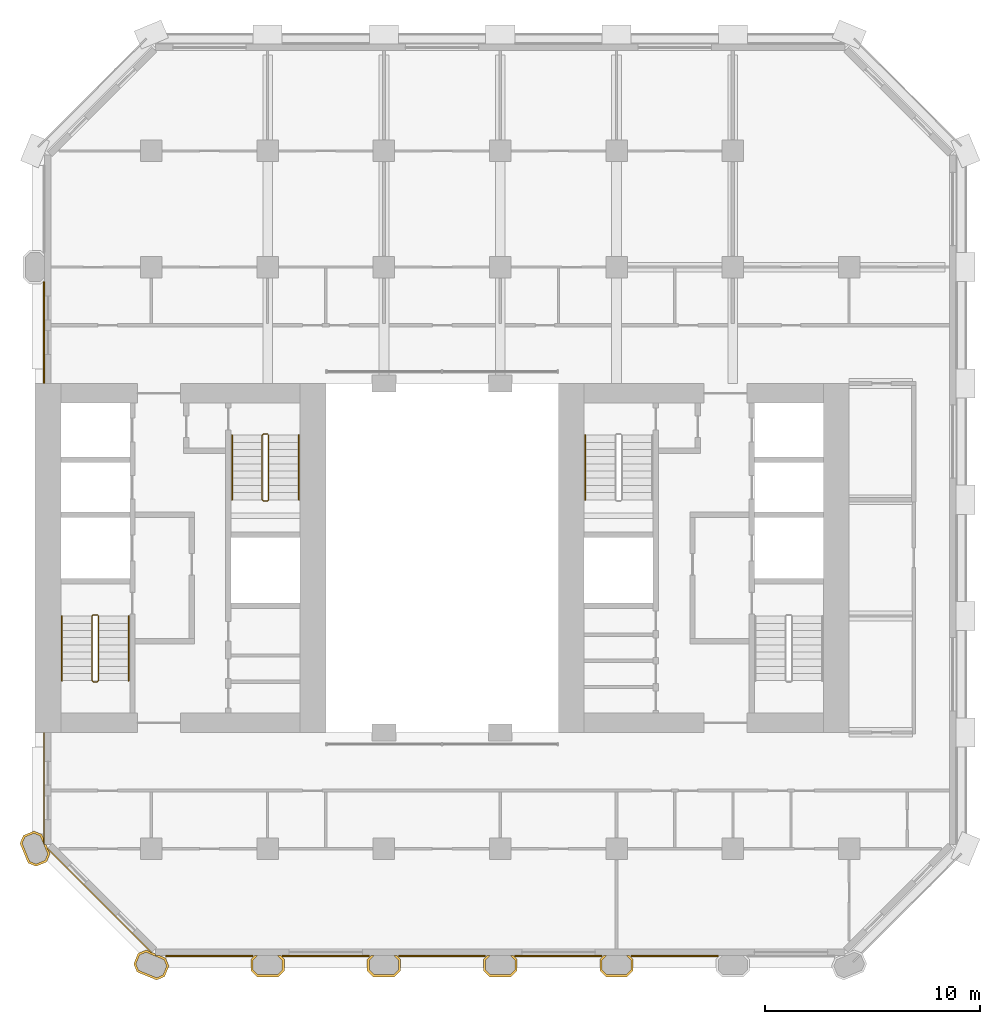
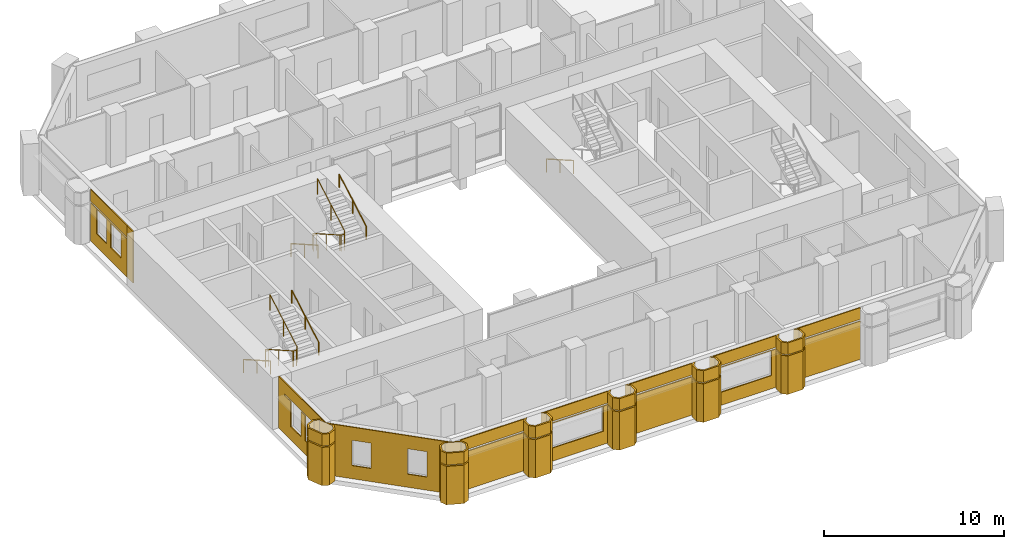
# One storey, part 9 of 11: 27 coverings, 7 railings.
"""IFC4 building model written with IfcOpenShell, lengths in metres."""

import ifcopenshell
import ifcopenshell.guid

model = None  # the IFC model being written
_history = None  # IfcOwnerHistory: only IFC2X3 demands one
_inside = {}  # id of a spatial element -> (the spatial element, [elements in it])
_under = {}  # id of a project, library or spatial element -> (it, [spatial elements below it])
_declared = {}  # id of a project -> (the project, [libraries it declares])
_typed = {}  # id of a type object -> (the type object, [elements of that type])
_made_of = {}  # id of a material, layer set ... -> (it, [elements and type objects made of it])


def new_model(schema):
    """Start an empty IFC model of exactly this schema.

    Asked for "IFC4X3", IfcOpenShell would pick the latest addendum, in which some entities
    have other attributes; the version numbers below select the first issue.
    IFC2X3 requires an IfcOwnerHistory on every rooted entity: one is made here for all.
    """
    global model, _history
    if schema == "IFC4X3":
        model = ifcopenshell.file(schema_version=(4, 3, 0, 0))
    else:
        model = ifcopenshell.file(schema=schema)
    _inside.clear()
    _under.clear()
    _declared.clear()
    _typed.clear()
    _made_of.clear()
    _history = None
    if model.schema == "IFC2X3":
        org = make("IfcOrganization", Name="unknown")
        user = make(
            "IfcPersonAndOrganization",
            ThePerson=make("IfcPerson", FamilyName="unknown"),
            TheOrganization=org,
        )
        app = make(
            "IfcApplication",
            ApplicationDeveloper=org,
            Version="unknown",
            ApplicationFullName="unknown",
            ApplicationIdentifier="unknown",
        )
        _history = make(
            "IfcOwnerHistory",
            OwningUser=user,
            OwningApplication=app,
            ChangeAction="ADDED",
            CreationDate=0,
        )
    return model


def make(cls, **values):
    """One entity of the class cls with the attributes given. An attribute that is None is left unset."""
    return model.create_entity(
        cls, **{name: value for name, value in values.items() if value is not None}
    )


def rooted(cls, **values):
    """An entity with a GlobalId (a new one), such as an element, a storey or a relation."""
    return make(cls, GlobalId=ifcopenshell.guid.new(), OwnerHistory=_history, **values)


def si_unit(unit_type, name, prefix=None):
    """IfcSIUnit, for example si_unit("LENGTHUNIT", "METRE", prefix="MILLI")."""
    return make("IfcSIUnit", UnitType=unit_type, Prefix=prefix, Name=name)


def assignment(units):
    """IfcUnitAssignment: the units of a project."""
    return None if units is None else make("IfcUnitAssignment", Units=units)


def point(xyz):
    """IfcCartesianPoint."""
    return None if xyz is None else make("IfcCartesianPoint", Coordinates=xyz)


def direction(xyz):
    """IfcDirection."""
    return None if xyz is None else make("IfcDirection", DirectionRatios=xyz)


def frame(location, z_axis=None, x_axis=None):
    """IfcAxis2Placement3D, a coordinate frame: its origin and axes. An axis left out is left unset."""
    return make(
        "IfcAxis2Placement3D",
        Location=point(location),
        Axis=direction(z_axis),
        RefDirection=direction(x_axis),
    )


def frame_2d(location, x_axis=None):
    """IfcAxis2Placement2D, a coordinate frame in the plane: its origin and x axis."""
    return make(
        "IfcAxis2Placement2D", Location=point(location), RefDirection=direction(x_axis)
    )


def origin():
    """The frame at (0, 0, 0) with its axes left unset."""
    return frame((0.0, 0.0, 0.0))


def origin_2d():
    """The frame at (0, 0) in the plane with its x axis left unset."""
    return frame_2d((0.0, 0.0))


def place(relative_to, where):
    """IfcLocalPlacement: puts the frame where relative to a parent placement (None: the world)."""
    return make(
        "IfcLocalPlacement", PlacementRelTo=relative_to, RelativePlacement=where
    )


def context(
    kind, dimensions, precision=None, world=None, true_north=None, identifier=None
):
    """IfcGeometricRepresentationContext, for example the 3D "Model" context."""
    return make(
        "IfcGeometricRepresentationContext",
        ContextIdentifier=identifier,
        ContextType=kind,
        CoordinateSpaceDimension=dimensions,
        Precision=precision,
        WorldCoordinateSystem=world,
        TrueNorth=true_north,
    )


def subcontext(parent, identifier, kind, view, scale=None):
    """IfcGeometricRepresentationSubContext, for example "Body" below "Model"."""
    return make(
        "IfcGeometricRepresentationSubContext",
        ContextIdentifier=identifier,
        ContextType=kind,
        ParentContext=parent,
        TargetScale=scale,
        TargetView=view,
    )


def project(units=None, contexts=None):
    """IfcProject with its units and contexts."""
    return rooted(
        "IfcProject",
        Name="project",
        RepresentationContexts=contexts,
        UnitsInContext=assignment(units),
    )


def spatial(cls, under=None, at=None, **own):
    """A site, building, storey or space (cls), placed at a placement, below another one or the project."""
    s = rooted(cls, ObjectPlacement=at, **own)
    if under is not None:
        _under.setdefault(under.id(), (under, []))[1].append(s)
    return s


def polyline(points):
    """IfcPolyline through the points."""
    return make("IfcPolyline", Points=[point(p) for p in points])


def profile(cls, at=None, kind="AREA", **sizes):
    """A parametric profile (cls). Its sizes go by their IFC names, for example OverallWidth=200.0."""
    return make(cls, ProfileType=kind, Position=at, **sizes)


def rectangle(**sizes):
    """IfcRectangleProfileDef."""
    return profile("IfcRectangleProfileDef", **sizes)


def circle(**sizes):
    """IfcCircleProfileDef."""
    return profile("IfcCircleProfileDef", **sizes)


def outline(outer, holes=None, kind="AREA"):
    """IfcArbitraryClosedProfileDef: a profile drawn as a closed curve; with holes, ...WithVoids."""
    if holes is None:
        return make("IfcArbitraryClosedProfileDef", ProfileType=kind, OuterCurve=outer)
    return make(
        "IfcArbitraryProfileDefWithVoids",
        ProfileType=kind,
        OuterCurve=outer,
        InnerCurves=holes,
    )


def extrude(swept, where, along, depth):
    """IfcExtrudedAreaSolid: the profile swept, set in the frame where, extruded along a direction by depth."""
    return make(
        "IfcExtrudedAreaSolid",
        SweptArea=swept,
        Position=where,
        ExtrudedDirection=direction(along),
        Depth=depth,
    )


def shape(context_of_items, identifier, shape_type, items):
    """IfcShapeRepresentation: the items that make up one representation, for example the "Body"."""
    return make(
        "IfcShapeRepresentation",
        ContextOfItems=context_of_items,
        RepresentationIdentifier=identifier,
        RepresentationType=shape_type,
        Items=items,
    )


def material(Name=None, Category=None):
    """IfcMaterial."""
    return make("IfcMaterial", Name=Name, Category=Category)


def layer(
    of_material, thickness, ventilated=None, Name=None, Category=None, Priority=None
):
    """IfcMaterialLayer: one layer of a wall or slab, of a material (None: an air gap)."""
    return make(
        "IfcMaterialLayer",
        Material=of_material,
        LayerThickness=thickness,
        IsVentilated=ventilated,
        Name=Name,
        Category=Category,
        Priority=Priority,
    )


def layer_set(layers, Name=None):
    """IfcMaterialLayerSet."""
    return make("IfcMaterialLayerSet", MaterialLayers=layers, LayerSetName=Name)


def made_of(thing, what):
    """Note that an element or type object is made of a material, layer set ...; save() writes the relation."""
    if what is not None:
        _made_of.setdefault(what.id(), (what, []))[1].append(thing)
    return thing


def type_object(cls, material=None, **own):
    """A type object (cls), such as IfcWallType, which elements share."""
    return made_of(rooted(cls, **own), material)


def element(
    cls,
    number,
    at=None,
    inside=None,
    cuts=None,
    type_object=None,
    material=None,
    context=None,
    identifier="Body",
    shape_type=None,
    held_by="IfcProductDefinitionShape",
    body=None,
    shapes=None,
    **own,
):
    """One element of the class cls, such as IfcWall. Its Tag is "e" and its number.

    at: its placement. inside: the storey or other place that contains it. cuts: it is an
    opening in that element (IfcRelVoidsElement). A single representation is given by context,
    identifier, shape_type and body (its items); several are given by shapes. held_by: the class
    of the entity that holds the representations. save() writes the other relations.
    """
    e = rooted(cls, Tag="e%d" % number, ObjectPlacement=at, **own)
    if body is not None:
        shapes = [shape(context, identifier, shape_type, body)]
    if shapes is not None:
        e.Representation = make(held_by, Representations=shapes)
    if inside is not None:
        _inside.setdefault(inside.id(), (inside, []))[1].append(e)
    if cuts is not None:
        rooted(
            "IfcRelVoidsElement", RelatingBuildingElement=cuts, RelatedOpeningElement=e
        )
    if type_object is not None:
        _typed.setdefault(type_object.id(), (type_object, []))[1].append(e)
    return made_of(e, material)


def aggregate(whole, parts):
    """IfcRelAggregates: a whole, such as a stair, and the parts it consists of."""
    return rooted("IfcRelAggregates", RelatingObject=whole, RelatedObjects=parts)


def save(model, path):
    """Write the relations noted so far, then the file.

    IfcRelAggregates (storeys below a building ...), IfcRelContainedInSpatialStructure (elements
    in a storey), IfcRelDefinesByType, IfcRelAssociatesMaterial and IfcRelDeclares: one each for
    every whole, place, type object, material and project.
    """
    for whole, parts in _under.values():
        aggregate(whole, parts)
    for where, things in _inside.values():
        rooted(
            "IfcRelContainedInSpatialStructure",
            RelatedElements=things,
            RelatingStructure=where,
        )
    for kind, things in _typed.values():
        rooted("IfcRelDefinesByType", RelatedObjects=things, RelatingType=kind)
    for what, things in _made_of.values():
        rooted("IfcRelAssociatesMaterial", RelatedObjects=things, RelatingMaterial=what)
    for by, libraries in _declared.values():
        rooted("IfcRelDeclares", RelatingContext=by, RelatedDefinitions=libraries)
    model.write(path)


model = new_model("IFC4")

# Units and contexts
model_context = context("Model", 3, precision=1e-05, world=origin(), true_north=direction((0.0, 1.0)))
body_context = subcontext(model_context, "Body", "Model", "MODEL_VIEW")
ifc_project = project(units=[si_unit("LENGTHUNIT", "METRE"), si_unit("AREAUNIT", "SQUARE_METRE"), si_unit("VOLUMEUNIT", "CUBIC_METRE"), si_unit("PLANEANGLEUNIT", "RADIAN"), si_unit("MASSUNIT", "GRAM", prefix="KILO")], contexts=[model_context])

# Site, building, storey
site_placement = place(None, origin())
site = spatial("IfcSite", under=ifc_project, at=site_placement, CompositionType="ELEMENT")
building_placement = place(site_placement, origin())
building = spatial("IfcBuilding", under=site, at=building_placement, Name="Tabaq Tower and Sports Hall", CompositionType="ELEMENT")
storey_placement = place(building_placement, frame((0.0, 0.0, 76.39990234375)))
storey = spatial("IfcBuildingStorey", under=building, at=storey_placement, Name="L17", CompositionType="ELEMENT", Elevation=76.39990234375)

# Coverings
ifc_material_1 = material(Name="Precast concrete C60/75", Category="concrete")
ifc_layer_1 = layer(ifc_material_1, 0.10009765625)
ifc_layer_set_1 = layer_set([ifc_layer_1], Name="Column cladding 100")
covering_type_1 = type_object("IfcCoveringType", Name="Column cladding 100", PredefinedType="CLADDING", material=ifc_layer_set_1)
covering_1_placement = place(storey_placement, origin())
element("IfcCovering", 1, at=covering_1_placement, inside=storey, type_object=covering_type_1, Name="Column cladding L17 PC-2C-O2", PredefinedType="CLADDING", context=body_context, shape_type="SweptSolid", body=[
    extrude(outline(polyline([(5.450439453125, 9.982421875), (5.080078125, 10.1357421875), (4.7041015625, 11.04345703125), (4.857421875, 11.413818359375), (5.349609375, 11.61767578125), (5.7197265625, 11.46435546875), (5.789794921875, 11.295654296875), (5.789794921875, 11.04296875), (5.849609375, 11.04296875), (5.849609375, 10.986083984375), (5.91796875, 10.986083984375), (5.9814453125, 10.83251953125), (5.9501953125, 10.801025390625), (6.026123046875, 10.72509765625), (6.095947265625, 10.556396484375), (5.9423828125, 10.186279296875), (5.450439453125, 9.982421875)]), holes=[polyline([(5.349609375, 11.510009765625), (4.93359375, 11.337646484375), (4.811767578125, 11.04345703125), (5.15625, 10.2119140625), (5.450439453125, 10.08984375), (5.866455078125, 10.26220703125), (5.98828125, 10.556396484375), (5.643798828125, 11.38818359375), (5.349609375, 11.510009765625)])]), origin(), (0.0, 0.0, 1.0), 2.60009765625),
])
covering_2_placement = place(storey_placement, frame((0.0, 0.0, 2.7001953125)))
element("IfcCovering", 2, at=covering_2_placement, inside=storey, type_object=covering_type_1, Name="Column cladding L17 PC-2C-O2 2", PredefinedType="CLADDING", context=body_context, shape_type="SweptSolid", body=[
    extrude(outline(polyline([(5.450439453125, 9.982421875), (5.080078125, 10.1357421875), (4.7041015625, 11.04345703125), (4.857421875, 11.413818359375), (5.349609375, 11.61767578125), (5.7197265625, 11.46435546875), (5.789794921875, 11.295654296875), (5.789794921875, 11.04296875), (5.849609375, 11.04296875), (5.849609375, 10.986083984375), (5.91796875, 10.986083984375), (5.9814453125, 10.83251953125), (5.9501953125, 10.801025390625), (6.026123046875, 10.72509765625), (6.095947265625, 10.556396484375), (5.9423828125, 10.186279296875), (5.450439453125, 9.982421875)]), holes=[polyline([(5.349609375, 11.510009765625), (4.93359375, 11.337646484375), (4.811767578125, 11.04345703125), (5.15625, 10.2119140625), (5.450439453125, 10.08984375), (5.866455078125, 10.26220703125), (5.98828125, 10.556396484375), (5.643798828125, 11.38818359375), (5.349609375, 11.510009765625)])]), origin(), (0.0, 0.0, 1.0), 0.7998046875),
])
covering_3_placement = place(storey_placement, origin())
element("IfcCovering", 3, at=covering_3_placement, inside=storey, type_object=covering_type_1, Name="Column cladding L17 PC-3B-O2", PredefinedType="CLADDING", context=body_context, shape_type="SweptSolid", body=[
    extrude(outline(polyline([(11.413818359375, 4.857421875), (11.04345703125, 4.7041015625), (10.1357421875, 5.080078125), (9.982421875, 5.450439453125), (10.186279296875, 5.9423828125), (10.556396484375, 6.095947265625), (10.72509765625, 6.026123046875), (10.801025390625, 5.9501953125), (10.83251953125, 5.9814453125), (10.986083984375, 5.91796875), (10.986083984375, 5.849609375), (11.15087890625, 5.849609375), (11.46435546875, 5.7197265625), (11.61767578125, 5.349609375), (11.413818359375, 4.857421875)]), holes=[polyline([(10.26220703125, 5.866455078125), (10.08984375, 5.450439453125), (10.2119140625, 5.15625), (11.04345703125, 4.811767578125), (11.337646484375, 4.93359375), (11.510009765625, 5.349609375), (11.38818359375, 5.643798828125), (10.556396484375, 5.98828125), (10.26220703125, 5.866455078125)])]), origin(), (0.0, 0.0, 1.0), 2.60009765625),
])
covering_4_placement = place(storey_placement, frame((0.0, 0.0, 2.7001953125)))
element("IfcCovering", 4, at=covering_4_placement, inside=storey, type_object=covering_type_1, Name="Column cladding L17 PC-3B-O2 2", PredefinedType="CLADDING", context=body_context, shape_type="SweptSolid", body=[
    extrude(outline(polyline([(11.413818359375, 4.857421875), (11.04345703125, 4.7041015625), (10.1357421875, 5.080078125), (9.982421875, 5.450439453125), (10.186279296875, 5.9423828125), (10.556396484375, 6.095947265625), (10.72509765625, 6.026123046875), (10.801025390625, 5.9501953125), (10.83251953125, 5.9814453125), (10.986083984375, 5.91796875), (10.986083984375, 5.849609375), (11.15087890625, 5.849609375), (11.46435546875, 5.7197265625), (11.61767578125, 5.349609375), (11.413818359375, 4.857421875)]), holes=[polyline([(10.26220703125, 5.866455078125), (10.08984375, 5.450439453125), (10.2119140625, 5.15625), (11.04345703125, 4.811767578125), (11.337646484375, 4.93359375), (11.510009765625, 5.349609375), (11.38818359375, 5.643798828125), (10.556396484375, 5.98828125), (10.26220703125, 5.866455078125)])]), origin(), (0.0, 0.0, 1.0), 0.7998046875),
])
covering_5_placement = place(storey_placement, origin())
element("IfcCovering", 5, at=covering_5_placement, inside=storey, type_object=covering_type_1, Name="Column cladding L17 PC-4B-O2", PredefinedType="CLADDING", context=body_context, shape_type="SweptSolid", body=[
    extrude(outline(polyline([(15.42529296875, 5.666259765625), (15.608642578125, 5.849609375), (15.749267578125, 5.849609375), (15.524658203125, 5.625244140625), (15.524658203125, 5.1748046875), (15.749755859375, 4.94970703125), (16.650146484375, 4.94970703125), (16.875244140625, 5.1748046875), (16.875244140625, 5.625244140625), (16.650634765625, 5.849609375), (16.791259765625, 5.849609375), (16.974609375, 5.666259765625), (16.974609375, 5.1337890625), (16.69140625, 4.850341796875), (15.708740234375, 4.850341796875), (15.42529296875, 5.1337890625), (15.42529296875, 5.666259765625)])), origin(), (0.0, 0.0, 1.0), 2.60009765625),
])
covering_6_placement = place(storey_placement, frame((0.0, 0.0, 2.7001953125)))
element("IfcCovering", 6, at=covering_6_placement, inside=storey, type_object=covering_type_1, Name="Column cladding L17 PC-4B-O2 2", PredefinedType="CLADDING", context=body_context, shape_type="SweptSolid", body=[
    extrude(outline(polyline([(15.42529296875, 5.666259765625), (15.608642578125, 5.849609375), (15.749267578125, 5.849609375), (15.524658203125, 5.625244140625), (15.524658203125, 5.1748046875), (15.749755859375, 4.94970703125), (16.650146484375, 4.94970703125), (16.875244140625, 5.1748046875), (16.875244140625, 5.625244140625), (16.650634765625, 5.849609375), (16.791259765625, 5.849609375), (16.974609375, 5.666259765625), (16.974609375, 5.1337890625), (16.69140625, 4.850341796875), (15.708740234375, 4.850341796875), (15.42529296875, 5.1337890625), (15.42529296875, 5.666259765625)])), origin(), (0.0, 0.0, 1.0), 0.7998046875),
])
covering_7_placement = place(storey_placement, origin())
element("IfcCovering", 7, at=covering_7_placement, inside=storey, type_object=covering_type_1, Name="Column cladding L17 PC-5B-O2", PredefinedType="CLADDING", context=body_context, shape_type="SweptSolid", body=[
    extrude(outline(polyline([(20.8251953125, 5.666259765625), (21.0087890625, 5.849609375), (21.149169921875, 5.849609375), (20.9248046875, 5.625244140625), (20.9248046875, 5.1748046875), (21.14990234375, 4.94970703125), (22.050048828125, 4.94970703125), (22.275390625, 5.1748046875), (22.275390625, 5.625244140625), (22.05078125, 5.849609375), (22.19140625, 5.849609375), (22.374755859375, 5.666259765625), (22.374755859375, 5.1337890625), (22.09130859375, 4.850341796875), (21.108642578125, 4.850341796875), (20.8251953125, 5.1337890625), (20.8251953125, 5.666259765625)])), origin(), (0.0, 0.0, 1.0), 2.60009765625),
])
covering_8_placement = place(storey_placement, frame((0.0, 0.0, 2.7001953125)))
element("IfcCovering", 8, at=covering_8_placement, inside=storey, type_object=covering_type_1, Name="Column cladding L17 PC-5B-O2 2", PredefinedType="CLADDING", context=body_context, shape_type="SweptSolid", body=[
    extrude(outline(polyline([(20.8251953125, 5.666259765625), (21.0087890625, 5.849609375), (21.149169921875, 5.849609375), (20.9248046875, 5.625244140625), (20.9248046875, 5.1748046875), (21.14990234375, 4.94970703125), (22.050048828125, 4.94970703125), (22.275390625, 5.1748046875), (22.275390625, 5.625244140625), (22.05078125, 5.849609375), (22.19140625, 5.849609375), (22.374755859375, 5.666259765625), (22.374755859375, 5.1337890625), (22.09130859375, 4.850341796875), (21.108642578125, 4.850341796875), (20.8251953125, 5.1337890625), (20.8251953125, 5.666259765625)])), origin(), (0.0, 0.0, 1.0), 0.7998046875),
])
covering_9_placement = place(storey_placement, origin())
element("IfcCovering", 9, at=covering_9_placement, inside=storey, type_object=covering_type_1, Name="Column cladding L17 PC-6B-O2", PredefinedType="CLADDING", context=body_context, shape_type="SweptSolid", body=[
    extrude(outline(polyline([(26.225341796875, 5.666259765625), (26.40869140625, 5.849609375), (26.54931640625, 5.849609375), (26.32470703125, 5.625244140625), (26.32470703125, 5.1748046875), (26.5498046875, 4.94970703125), (27.4501953125, 4.94970703125), (27.67529296875, 5.1748046875), (27.67529296875, 5.625244140625), (27.45068359375, 5.849609375), (27.59130859375, 5.849609375), (27.774658203125, 5.666259765625), (27.774658203125, 5.1337890625), (27.4912109375, 4.850341796875), (26.5087890625, 4.850341796875), (26.225341796875, 5.1337890625), (26.225341796875, 5.666259765625)])), origin(), (0.0, 0.0, 1.0), 2.60009765625),
])
covering_10_placement = place(storey_placement, frame((0.0, 0.0, 2.7001953125)))
element("IfcCovering", 10, at=covering_10_placement, inside=storey, type_object=covering_type_1, Name="Column cladding L17 PC-6B-O2 2", PredefinedType="CLADDING", context=body_context, shape_type="SweptSolid", body=[
    extrude(outline(polyline([(26.225341796875, 5.666259765625), (26.40869140625, 5.849609375), (26.54931640625, 5.849609375), (26.32470703125, 5.625244140625), (26.32470703125, 5.1748046875), (26.5498046875, 4.94970703125), (27.4501953125, 4.94970703125), (27.67529296875, 5.1748046875), (27.67529296875, 5.625244140625), (27.45068359375, 5.849609375), (27.59130859375, 5.849609375), (27.774658203125, 5.666259765625), (27.774658203125, 5.1337890625), (27.4912109375, 4.850341796875), (26.5087890625, 4.850341796875), (26.225341796875, 5.1337890625), (26.225341796875, 5.666259765625)])), origin(), (0.0, 0.0, 1.0), 0.7998046875),
])
covering_11_placement = place(storey_placement, origin())
element("IfcCovering", 11, at=covering_11_placement, inside=storey, type_object=covering_type_1, Name="Column cladding L17 PC-7B-O2", PredefinedType="CLADDING", context=body_context, shape_type="SweptSolid", body=[
    extrude(outline(polyline([(31.625244140625, 5.666259765625), (31.80859375, 5.849609375), (31.94921875, 5.849609375), (31.724609375, 5.625244140625), (31.724609375, 5.1748046875), (31.949951171875, 4.94970703125), (32.85009765625, 4.94970703125), (33.0751953125, 5.1748046875), (33.0751953125, 5.625244140625), (32.850830078125, 5.849609375), (32.9912109375, 5.849609375), (33.1748046875, 5.666259765625), (33.1748046875, 5.1337890625), (32.891357421875, 4.850341796875), (31.90869140625, 4.850341796875), (31.625244140625, 5.1337890625), (31.625244140625, 5.666259765625)])), origin(), (0.0, 0.0, 1.0), 2.60009765625),
])
covering_12_placement = place(storey_placement, frame((0.0, 0.0, 2.7001953125)))
element("IfcCovering", 12, at=covering_12_placement, inside=storey, type_object=covering_type_1, Name="Column cladding L17 PC-7B-O2 2", PredefinedType="CLADDING", context=body_context, shape_type="SweptSolid", body=[
    extrude(outline(polyline([(31.625244140625, 5.666259765625), (31.80859375, 5.849609375), (31.94921875, 5.849609375), (31.724609375, 5.625244140625), (31.724609375, 5.1748046875), (31.949951171875, 4.94970703125), (32.85009765625, 4.94970703125), (33.0751953125, 5.1748046875), (33.0751953125, 5.625244140625), (32.850830078125, 5.849609375), (32.9912109375, 5.849609375), (33.1748046875, 5.666259765625), (33.1748046875, 5.1337890625), (32.891357421875, 4.850341796875), (31.90869140625, 4.850341796875), (31.625244140625, 5.1337890625), (31.625244140625, 5.666259765625)])), origin(), (0.0, 0.0, 1.0), 0.7998046875),
])

# Railings
ifc_material_2 = material(Name="Stainless steel", Category="steel")
railing_type_1 = type_object("IfcRailingType", Name="Stair guard", PredefinedType="GUARDRAIL", material=ifc_material_2)
railing_1_placement = place(storey_placement, frame((8.300048828125, 21.64990234375, 0.0)))
element("IfcRailing", 13, at=railing_1_placement, inside=storey, type_object=railing_type_1, Name="L17 ST1 stair guard 1", PredefinedType="GUARDRAIL", context=body_context, shape_type="SweptSolid", body=[
    extrude(circle(Radius=0.02392578125, at=origin_2d()), frame((0.0, 0.0, 1.076171875), z_axis=(-1.0, 0.0, 0.0), x_axis=(0.0, -1.0, 0.0)), (0.0, 0.0, 1.0), 0.199951171875),
    extrude(circle(Radius=0.02392578125, at=origin_2d()), frame((-0.199951171875, 0.0, 1.076171875), z_axis=(-0.246704845944, -0.245501407671, 0.937478414588), x_axis=(0.705375805398, -0.708833529934, 0.0)), (0.0, 0.0, 1.0), 0.202880859375),
    extrude(circle(Radius=0.02392578125, at=origin_2d()), frame((-0.25, -0.0498046875, 1.26611328125), z_axis=(0.0, -0.868782136927, 0.495194505781), x_axis=(1.0, 0.0, 0.0)), (0.0, 0.0, 1.0), 3.453125),
    extrude(circle(Radius=0.02392578125, at=origin_2d()), frame((-0.25, -3.0498046875, 2.97607421875), z_axis=(0.707106781187, -0.707106781187, 0.0), x_axis=(0.707106781187, 0.707106781187, 0.0)), (0.0, 0.0, 1.0), 0.07080078125),
    extrude(circle(Radius=0.02392578125, at=origin_2d()), frame((-0.199951171875, -3.099853515625, 2.97607421875), z_axis=(1.0, 0.0, 0.0), x_axis=(0.0, 1.0, 0.0)), (0.0, 0.0, 1.0), 0.199951171875),
    extrude(circle(Radius=0.02392578125, at=origin_2d()), frame((0.0, -3.099853515625, 2.97607421875), z_axis=(0.246910188598, 0.246910188598, 0.937054276727), x_axis=(-0.707106781187, 0.707106781187, 0.0)), (0.0, 0.0, 1.0), 0.20263671875),
    extrude(circle(Radius=0.02392578125, at=origin_2d()), frame((0.050048828125, -3.0498046875, 3.166015625), z_axis=(0.0, 0.868782136927, 0.495194505781), x_axis=(-1.0, 0.0, 0.0)), (0.0, 0.0, 1.0), 3.453125),
    extrude(circle(Radius=0.02099609375, at=origin_2d()), origin(), (0.0, 0.0, 1.0), 1.052001953125),
    extrude(circle(Radius=0.02099609375, at=origin_2d()), frame((-0.199951171875, 0.0, 0.0)), (0.0, 0.0, 1.0), 1.052001953125),
    extrude(circle(Radius=0.02099609375, at=origin_2d()), frame((-0.25, -0.0498046875, 0.190185546875)), (0.0, 0.0, 1.0), 1.052001953125),
    extrude(circle(Radius=0.02099609375, at=origin_2d()), frame((-0.25, -1.5498046875, 1.045166015625)), (0.0, 0.0, 1.0), 1.052001953125),
    extrude(circle(Radius=0.02099609375, at=origin_2d()), frame((-0.25, -3.0498046875, 1.900146484375)), (0.0, 0.0, 1.0), 1.052001953125),
    extrude(circle(Radius=0.02099609375, at=origin_2d()), frame((-0.199951171875, -3.099853515625, 1.900146484375)), (0.0, 0.0, 1.0), 1.052001953125),
    extrude(circle(Radius=0.02099609375, at=origin_2d()), frame((0.0, -3.099853515625, 1.900146484375)), (0.0, 0.0, 1.0), 1.052001953125),
    extrude(circle(Radius=0.02099609375, at=origin_2d()), frame((0.050048828125, -3.0498046875, 2.090087890625)), (0.0, 0.0, 1.0), 1.052001953125),
    extrude(circle(Radius=0.02099609375, at=origin_2d()), frame((0.050048828125, -1.5498046875, 2.945068359375)), (0.0, 0.0, 1.0), 1.052001953125),
    extrude(circle(Radius=0.02099609375, at=origin_2d()), frame((0.050048828125, -0.0498046875, 3.800048828125)), (0.0, 0.0, 1.0), 1.052001953125),
])
railing_2_placement = place(storey_placement, frame((16.199951171875, 30.050048828125, 0.0)))
element("IfcRailing", 14, at=railing_2_placement, inside=storey, type_object=railing_type_1, Name="L17 ST2 stair guard 1", PredefinedType="GUARDRAIL", context=body_context, shape_type="SweptSolid", body=[
    extrude(circle(Radius=0.02392578125, at=origin_2d()), frame((0.0, 0.0, 1.076171875), z_axis=(-1.0, 0.0, 0.0), x_axis=(0.0, -1.0, 0.0)), (0.0, 0.0, 1.0), 0.199951171875),
    extrude(circle(Radius=0.02392578125, at=origin_2d()), frame((-0.199951171875, 0.0, 1.076171875), z_axis=(-0.246631811833, -0.246631811833, 0.937200884967), x_axis=(0.707106781187, -0.707106781187, 0.0)), (0.0, 0.0, 1.0), 0.202880859375),
    extrude(circle(Radius=0.02392578125, at=origin_2d()), frame((-0.25, -0.050048828125, 1.26611328125), z_axis=(0.0, -0.868782136927, 0.495194505781), x_axis=(1.0, 0.0, 0.0)), (0.0, 0.0, 1.0), 3.453125),
    extrude(circle(Radius=0.02392578125, at=origin_2d()), frame((-0.25, -3.050048828125, 2.97607421875), z_axis=(0.707106781187, -0.707106781187, 0.0), x_axis=(0.707106781187, 0.707106781187, 0.0)), (0.0, 0.0, 1.0), 0.07080078125),
    extrude(circle(Radius=0.02392578125, at=origin_2d()), frame((-0.199951171875, -3.10009765625, 2.97607421875), z_axis=(1.0, 0.0, 0.0), x_axis=(0.0, 1.0, 0.0)), (0.0, 0.0, 1.0), 0.199951171875),
    extrude(circle(Radius=0.02392578125, at=origin_2d()), frame((0.0, -3.10009765625, 2.97607421875), z_axis=(0.246910188598, 0.246910188598, 0.937054276727), x_axis=(-0.707106781187, 0.707106781187, 0.0)), (0.0, 0.0, 1.0), 0.20263671875),
    extrude(circle(Radius=0.02392578125, at=origin_2d()), frame((0.050048828125, -3.050048828125, 3.166015625), z_axis=(0.0, 0.868782136927, 0.495194505781), x_axis=(-1.0, 0.0, 0.0)), (0.0, 0.0, 1.0), 3.453125),
    extrude(circle(Radius=0.02099609375, at=origin_2d()), origin(), (0.0, 0.0, 1.0), 1.052001953125),
    extrude(circle(Radius=0.02099609375, at=origin_2d()), frame((-0.199951171875, 0.0, 0.0)), (0.0, 0.0, 1.0), 1.052001953125),
    extrude(circle(Radius=0.02099609375, at=origin_2d()), frame((-0.25, -0.050048828125, 0.190185546875)), (0.0, 0.0, 1.0), 1.052001953125),
    extrude(circle(Radius=0.02099609375, at=origin_2d()), frame((-0.25, -1.550048828125, 1.045166015625)), (0.0, 0.0, 1.0), 1.052001953125),
    extrude(circle(Radius=0.02099609375, at=origin_2d()), frame((-0.25, -3.050048828125, 1.900146484375)), (0.0, 0.0, 1.0), 1.052001953125),
    extrude(circle(Radius=0.02099609375, at=origin_2d()), frame((-0.199951171875, -3.10009765625, 1.900146484375)), (0.0, 0.0, 1.0), 1.052001953125),
    extrude(circle(Radius=0.02099609375, at=origin_2d()), frame((0.0, -3.10009765625, 1.900146484375)), (0.0, 0.0, 1.0), 1.052001953125),
    extrude(circle(Radius=0.02099609375, at=origin_2d()), frame((0.050048828125, -3.050048828125, 2.090087890625)), (0.0, 0.0, 1.0), 1.052001953125),
    extrude(circle(Radius=0.02099609375, at=origin_2d()), frame((0.050048828125, -1.550048828125, 2.945068359375)), (0.0, 0.0, 1.0), 1.052001953125),
    extrude(circle(Radius=0.02099609375, at=origin_2d()), frame((0.050048828125, -0.050048828125, 3.800048828125)), (0.0, 0.0, 1.0), 1.052001953125),
])
ifc_material_3 = material(Name="Stainless steel", Category="steel")
railing_type_2 = type_object("IfcRailingType", Name="Stair handrail", PredefinedType="HANDRAIL", material=ifc_material_3)
railing_3_placement = place(storey_placement, frame((6.64990234375, 21.60009765625, 0.190185546875)))
element("IfcRailing", 15, at=railing_3_placement, inside=storey, type_object=railing_type_2, Name="L17 ST1 stair handrail 1", PredefinedType="HANDRAIL", context=body_context, shape_type="SweptSolid", body=[
    extrude(circle(Radius=0.02392578125, at=origin_2d()), frame((0.0, 0.0, 0.8759765625), z_axis=(0.0, -0.868782136927, 0.495194505781), x_axis=(1.0, 0.0, 0.0)), (0.0, 0.0, 1.0), 3.453125),
    extrude(circle(Radius=0.02099609375, at=origin_2d()), origin(), (0.0, 0.0, 1.0), 0.851806640625),
    extrude(circle(Radius=0.02099609375, at=origin_2d()), frame((0.0, -1.5, 0.85498046875)), (0.0, 0.0, 1.0), 0.851806640625),
    extrude(circle(Radius=0.02099609375, at=origin_2d()), frame((0.0, -3.0, 1.7099609375)), (0.0, 0.0, 1.0), 0.851806640625),
])
railing_4_placement = place(storey_placement, frame((9.75, 18.60009765625, 2.090087890625)))
element("IfcRailing", 16, at=railing_4_placement, inside=storey, type_object=railing_type_2, Name="L17 ST1 stair handrail 2", PredefinedType="HANDRAIL", context=body_context, shape_type="SweptSolid", body=[
    extrude(circle(Radius=0.02392578125, at=origin_2d()), frame((0.0, 0.0, 0.8759765625), z_axis=(0.0, 0.868782136927, 0.495194505781), x_axis=(-1.0, 0.0, 0.0)), (0.0, 0.0, 1.0), 3.453125),
    extrude(circle(Radius=0.02099609375, at=origin_2d()), origin(), (0.0, 0.0, 1.0), 0.851806640625),
    extrude(circle(Radius=0.02099609375, at=origin_2d()), frame((0.0, 1.5, 0.85498046875)), (0.0, 0.0, 1.0), 0.851806640625),
    extrude(circle(Radius=0.02099609375, at=origin_2d()), frame((0.0, 3.0, 1.7099609375)), (0.0, 0.0, 1.0), 0.851806640625),
])
railing_5_placement = place(storey_placement, frame((14.550048828125, 30.0, 0.190185546875)))
element("IfcRailing", 17, at=railing_5_placement, inside=storey, type_object=railing_type_2, Name="L17 ST2 stair handrail 1", PredefinedType="HANDRAIL", context=body_context, shape_type="SweptSolid", body=[
    extrude(circle(Radius=0.02392578125, at=origin_2d()), frame((0.0, 0.0, 0.8759765625), z_axis=(0.0, -0.868782136927, 0.495194505781), x_axis=(1.0, 0.0, 0.0)), (0.0, 0.0, 1.0), 3.453125),
    extrude(circle(Radius=0.02099609375, at=origin_2d()), origin(), (0.0, 0.0, 1.0), 0.851806640625),
    extrude(circle(Radius=0.02099609375, at=origin_2d()), frame((0.0, -1.5, 0.85498046875)), (0.0, 0.0, 1.0), 0.851806640625),
    extrude(circle(Radius=0.02099609375, at=origin_2d()), frame((0.0, -3.0, 1.7099609375)), (0.0, 0.0, 1.0), 0.851806640625),
])
railing_6_placement = place(storey_placement, frame((17.64990234375, 27.0, 2.090087890625)))
element("IfcRailing", 18, at=railing_6_placement, inside=storey, type_object=railing_type_2, Name="L17 ST2 stair handrail 2", PredefinedType="HANDRAIL", context=body_context, shape_type="SweptSolid", body=[
    extrude(circle(Radius=0.02392578125, at=origin_2d()), frame((0.0, 0.0, 0.8759765625), z_axis=(0.0, 0.868782136927, 0.495194505781), x_axis=(-1.0, 0.0, 0.0)), (0.0, 0.0, 1.0), 3.453125),
    extrude(circle(Radius=0.02099609375, at=origin_2d()), origin(), (0.0, 0.0, 1.0), 0.851806640625),
    extrude(circle(Radius=0.02099609375, at=origin_2d()), frame((0.0, 1.5, 0.85498046875)), (0.0, 0.0, 1.0), 0.851806640625),
    extrude(circle(Radius=0.02099609375, at=origin_2d()), frame((0.0, 3.0, 1.7099609375)), (0.0, 0.0, 1.0), 0.851806640625),
])
railing_7_placement = place(storey_placement, frame((30.949951171875, 30.0, 0.190185546875)))
element("IfcRailing", 19, at=railing_7_placement, inside=storey, type_object=railing_type_2, Name="L17 ST4 stair handrail 1", PredefinedType="HANDRAIL", context=body_context, shape_type="SweptSolid", body=[
    extrude(circle(Radius=0.02392578125, at=origin_2d()), frame((0.0, 0.0, 0.8759765625), z_axis=(0.0, -0.868782136927, 0.495194505781), x_axis=(1.0, 0.0, 0.0)), (0.0, 0.0, 1.0), 3.453125),
    extrude(circle(Radius=0.02099609375, at=origin_2d()), origin(), (0.0, 0.0, 1.0), 0.851806640625),
    extrude(circle(Radius=0.02099609375, at=origin_2d()), frame((0.0, -1.5, 0.85498046875)), (0.0, 0.0, 1.0), 0.851806640625),
    extrude(circle(Radius=0.02099609375, at=origin_2d()), frame((0.0, -3.0, 1.7099609375)), (0.0, 0.0, 1.0), 0.851806640625),
])

# Coverings
ifc_material_4 = material(Name="Precast concrete C60/75", Category="concrete")
ifc_layer_2 = layer(ifc_material_4, 0.06005859375)
ifc_layer_set_2 = layer_set([ifc_layer_2], Name="White precast cladding panel 60 C60/75")
covering_type_2 = type_object("IfcCoveringType", Name="White precast cladding panel 60 C60/75", PredefinedType="CLADDING", material=ifc_layer_set_2)
covering_13_placement = place(storey_placement, frame((11.465087890625, 5.820068359375, 0.0), z_axis=(0.0, 0.0, 1.0), x_axis=(1.0, 0.0, 0.0)))
element("IfcCovering", 20, at=covering_13_placement, inside=storey, type_object=covering_type_2, Name="White precast cladding panel L17 wall00", PredefinedType="CLADDING", context=body_context, shape_type="SweptSolid", body=[
    extrude(rectangle(XDim=4.0498046875, YDim=0.06005859375, at=frame_2d((2.02490234375, 0.0))), origin(), (0.0, 0.0, 1.0), 2.590087890625),
])
covering_14_placement = place(storey_placement, frame((11.465087890625, 5.820068359375, 2.710205078125), z_axis=(0.0, 0.0, 1.0), x_axis=(1.0, 0.0, 0.0)))
element("IfcCovering", 21, at=covering_14_placement, inside=storey, type_object=covering_type_2, Name="White precast cladding panel L17 wall00 2", PredefinedType="CLADDING", context=body_context, shape_type="SweptSolid", body=[
    extrude(rectangle(XDim=4.0498046875, YDim=0.06005859375, at=frame_2d((2.02490234375, 0.0))), origin(), (0.0, 0.0, 1.0), 0.789794921875),
])
covering_15_placement = place(storey_placement, frame((16.885009765625, 5.820068359375, 0.0), z_axis=(0.0, 0.0, 1.0), x_axis=(1.0, 0.0, 0.0)))
element("IfcCovering", 22, at=covering_15_placement, inside=storey, type_object=covering_type_2, Name="White precast cladding panel L17 wall00 3", PredefinedType="CLADDING", context=body_context, shape_type="SweptSolid", body=[
    extrude(outline(polyline([(0.0, 0.0), (4.030029296875, 0.0), (4.030029296875, 2.590087890625), (0.0, 2.590087890625), (0.0, 0.0)]), holes=[polyline([(3.72509765625, 0.89013671875), (0.304931640625, 0.89013671875), (0.304931640625, 2.56005859375), (3.72509765625, 2.56005859375), (3.72509765625, 0.89013671875)])]), frame((0.0, 0.030029296875, 0.0), z_axis=(0.0, -1.0, 0.0), x_axis=(1.0, 0.0, 0.0)), (0.0, 0.0, 1.0), 0.06005859375),
])
covering_16_placement = place(storey_placement, frame((16.885009765625, 5.820068359375, 2.710205078125), z_axis=(0.0, 0.0, 1.0), x_axis=(1.0, 0.0, 0.0)))
element("IfcCovering", 23, at=covering_16_placement, inside=storey, type_object=covering_type_2, Name="White precast cladding panel L17 wall00 4", PredefinedType="CLADDING", context=body_context, shape_type="SweptSolid", body=[
    extrude(rectangle(XDim=4.030029296875, YDim=0.06005859375, at=frame_2d((2.01513671875, 0.0))), origin(), (0.0, 0.0, 1.0), 0.789794921875),
])
covering_17_placement = place(storey_placement, frame((22.284912109375, 5.820068359375, 0.0), z_axis=(0.0, 0.0, 1.0), x_axis=(1.0, 0.0, 0.0)))
element("IfcCovering", 24, at=covering_17_placement, inside=storey, type_object=covering_type_2, Name="White precast cladding panel L17 wall00 5", PredefinedType="CLADDING", context=body_context, shape_type="SweptSolid", body=[
    extrude(rectangle(XDim=4.030029296875, YDim=0.06005859375, at=frame_2d((2.01513671875, 0.0))), origin(), (0.0, 0.0, 1.0), 2.590087890625),
])
covering_18_placement = place(storey_placement, frame((22.284912109375, 5.820068359375, 2.710205078125), z_axis=(0.0, 0.0, 1.0), x_axis=(1.0, 0.0, 0.0)))
element("IfcCovering", 25, at=covering_18_placement, inside=storey, type_object=covering_type_2, Name="White precast cladding panel L17 wall00 6", PredefinedType="CLADDING", context=body_context, shape_type="SweptSolid", body=[
    extrude(rectangle(XDim=4.030029296875, YDim=0.06005859375, at=frame_2d((2.01513671875, 0.0))), origin(), (0.0, 0.0, 1.0), 0.789794921875),
])
covering_19_placement = place(storey_placement, frame((27.68505859375, 5.820068359375, 0.0), z_axis=(0.0, 0.0, 1.0), x_axis=(1.0, 0.0, 0.0)))
element("IfcCovering", 26, at=covering_19_placement, inside=storey, type_object=covering_type_2, Name="White precast cladding panel L17 wall00 7", PredefinedType="CLADDING", context=body_context, shape_type="SweptSolid", body=[
    extrude(outline(polyline([(0.0, 0.0), (4.030029296875, 0.0), (4.030029296875, 2.590087890625), (0.0, 2.590087890625), (0.0, 0.0)]), holes=[polyline([(3.72509765625, 0.89013671875), (0.304931640625, 0.89013671875), (0.304931640625, 2.56005859375), (3.72509765625, 2.56005859375), (3.72509765625, 0.89013671875)])]), frame((0.0, 0.030029296875, 0.0), z_axis=(0.0, -1.0, 0.0), x_axis=(1.0, 0.0, 0.0)), (0.0, 0.0, 1.0), 0.06005859375),
])
covering_20_placement = place(storey_placement, frame((27.68505859375, 5.820068359375, 2.710205078125), z_axis=(0.0, 0.0, 1.0), x_axis=(1.0, 0.0, 0.0)))
element("IfcCovering", 27, at=covering_20_placement, inside=storey, type_object=covering_type_2, Name="White precast cladding panel L17 wall00 8", PredefinedType="CLADDING", context=body_context, shape_type="SweptSolid", body=[
    extrude(rectangle(XDim=4.030029296875, YDim=0.06005859375, at=frame_2d((2.01513671875, 0.0))), origin(), (0.0, 0.0, 1.0), 0.789794921875),
])
covering_21_placement = place(storey_placement, frame((33.0849609375, 5.820068359375, 0.0), z_axis=(0.0, 0.0, 1.0), x_axis=(1.0, 0.0, 0.0)))
element("IfcCovering", 28, at=covering_21_placement, inside=storey, type_object=covering_type_2, Name="White precast cladding panel L17 wall00 9", PredefinedType="CLADDING", context=body_context, shape_type="SweptSolid", body=[
    extrude(rectangle(XDim=4.030029296875, YDim=0.06005859375, at=frame_2d((2.01513671875, 0.0))), origin(), (0.0, 0.0, 1.0), 2.590087890625),
])
covering_22_placement = place(storey_placement, frame((33.0849609375, 5.820068359375, 2.710205078125), z_axis=(0.0, 0.0, 1.0), x_axis=(1.0, 0.0, 0.0)))
element("IfcCovering", 29, at=covering_22_placement, inside=storey, type_object=covering_type_2, Name="White precast cladding panel L17 wall00 10", PredefinedType="CLADDING", context=body_context, shape_type="SweptSolid", body=[
    extrude(rectangle(XDim=4.030029296875, YDim=0.06005859375, at=frame_2d((2.01513671875, 0.0))), origin(), (0.0, 0.0, 1.0), 0.789794921875),
])
covering_23_placement = place(storey_placement, frame((5.820068359375, 37.114990234375, 0.0), z_axis=(0.0, 0.0, 1.0), x_axis=(0.0, -1.0, 0.0)))
element("IfcCovering", 30, at=covering_23_placement, inside=storey, type_object=covering_type_2, Name="White precast cladding panel L17 wall06 3", PredefinedType="CLADDING", context=body_context, shape_type="SweptSolid", body=[
    extrude(outline(polyline([(0.0, 0.0), (4.050048828125, 0.0), (4.050048828125, 2.590087890625), (0.0, 2.590087890625), (0.0, 0.0)]), holes=[polyline([(0.655029296875, 0.89013671875), (0.655029296875, 2.56005859375), (1.77490234375, 2.56005859375), (1.77490234375, 0.89013671875), (0.655029296875, 0.89013671875)]), polyline([(2.2548828125, 0.89013671875), (2.2548828125, 2.56005859375), (3.375, 2.56005859375), (3.375, 0.89013671875), (2.2548828125, 0.89013671875)])]), frame((0.0, 0.030029296875, 0.0), z_axis=(0.0, -1.0, 0.0), x_axis=(1.0, 0.0, 0.0)), (0.0, 0.0, 1.0), 0.06005859375),
])
covering_24_placement = place(storey_placement, frame((5.820068359375, 37.114990234375, 2.710205078125), z_axis=(0.0, 0.0, 1.0), x_axis=(0.0, -1.0, 0.0)))
element("IfcCovering", 31, at=covering_24_placement, inside=storey, type_object=covering_type_2, Name="White precast cladding panel L17 wall06 4", PredefinedType="CLADDING", context=body_context, shape_type="SweptSolid", body=[
    extrude(rectangle(XDim=4.050048828125, YDim=0.06005859375, at=frame_2d((2.02490234375, 0.0))), origin(), (0.0, 0.0, 1.0), 0.789794921875),
])
covering_25_placement = place(storey_placement, frame((5.820068359375, 33.06494140625, 0.0), z_axis=(0.0, 0.0, 1.0), x_axis=(0.0, -1.0, 0.0)))
element("IfcCovering", 32, at=covering_25_placement, inside=storey, type_object=covering_type_2, Name="White precast cladding panel L17 wall06 5", PredefinedType="CLADDING", context=body_context, shape_type="SweptSolid", body=[
    extrude(rectangle(XDim=0.6650390625, YDim=0.06005859375, at=frame_2d((0.33251953125, 0.0))), origin(), (0.0, 0.0, 1.0), 3.5),
])
covering_26_placement = place(storey_placement, frame((5.820068359375, 16.199951171875, 0.0), z_axis=(0.0, 0.0, 1.0), x_axis=(0.0, -1.0, 0.0)))
element("IfcCovering", 33, at=covering_26_placement, inside=storey, type_object=covering_type_2, Name="White precast cladding panel L17 wall06-1", PredefinedType="CLADDING", context=body_context, shape_type="SweptSolid", body=[
    extrude(outline(polyline([(0.0, 0.0), (5.15673828125, 0.0), (5.15673828125, 3.5), (0.0, 3.5), (0.0, 0.0)]), holes=[polyline([(1.340087890625, 2.590087890625), (0.6650390625, 2.590087890625), (0.6650390625, 2.710205078125), (4.735107421875, 2.710205078125), (4.735107421875, 2.590087890625), (4.06005859375, 2.590087890625), (4.06005859375, 0.89013671875), (2.93994140625, 0.89013671875), (2.93994140625, 2.590087890625), (2.4599609375, 2.590087890625), (2.4599609375, 0.89013671875), (1.340087890625, 0.89013671875), (1.340087890625, 2.590087890625)])]), frame((0.0, 0.030029296875, 0.0), z_axis=(0.0, -1.0, 0.0), x_axis=(1.0, 0.0, 0.0)), (0.0, 0.0, 1.0), 0.06005859375),
])
covering_27_placement = place(storey_placement, frame((5.9716796875, 10.822265625, 0.0), z_axis=(0.0, 0.0, 1.0), x_axis=(0.707106781187, -0.707106781187, 0.0)))
element("IfcCovering", 34, at=covering_27_placement, inside=storey, type_object=covering_type_2, Name="White precast cladding panel L17 wall07", PredefinedType="CLADDING", context=body_context, shape_type="SweptSolid", body=[
    extrude(outline(polyline([(0.0, 0.0), (6.85986328125, 0.0), (6.85986328125, 3.5), (0.0, 3.5), (0.0, 0.0)]), holes=[polyline([(1.269775390625, 2.610107421875), (2.389892578125, 2.610107421875), (2.389892578125, 0.89013671875), (1.269775390625, 0.89013671875), (1.269775390625, 2.610107421875)]), polyline([(4.4697265625, 2.610107421875), (5.58984375, 2.610107421875), (5.58984375, 0.89013671875), (4.4697265625, 0.89013671875), (4.4697265625, 2.610107421875)])]), frame((0.0, 0.030029296875, 0.0), z_axis=(0.0, -1.0, 0.0), x_axis=(1.0, 0.0, 0.0)), (0.0, 0.0, 1.0), 0.06005859375),
])

save(model, "model.ifc")
